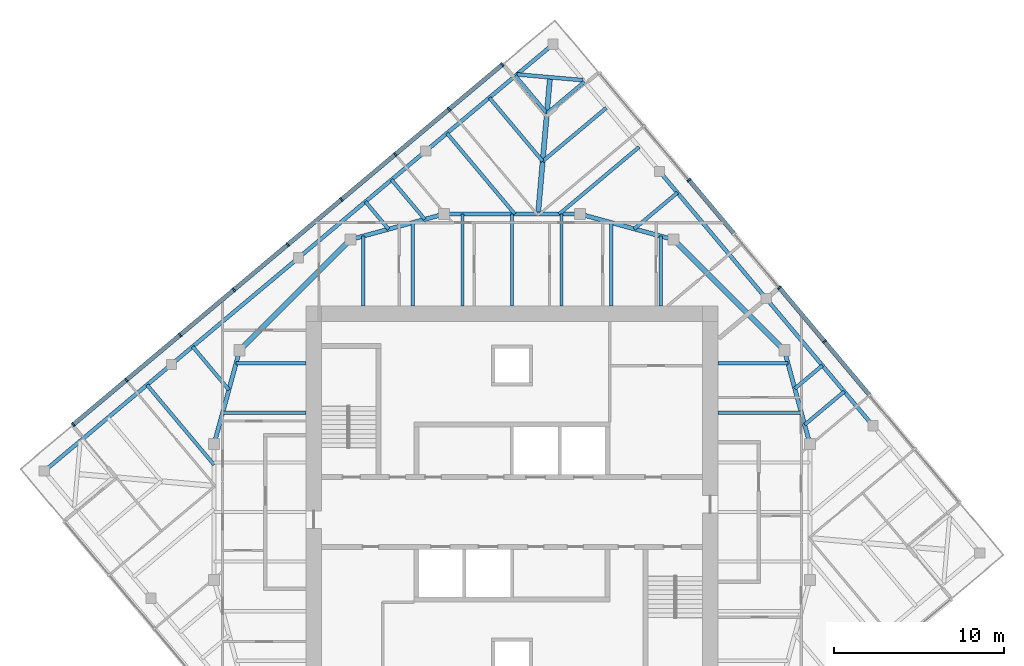
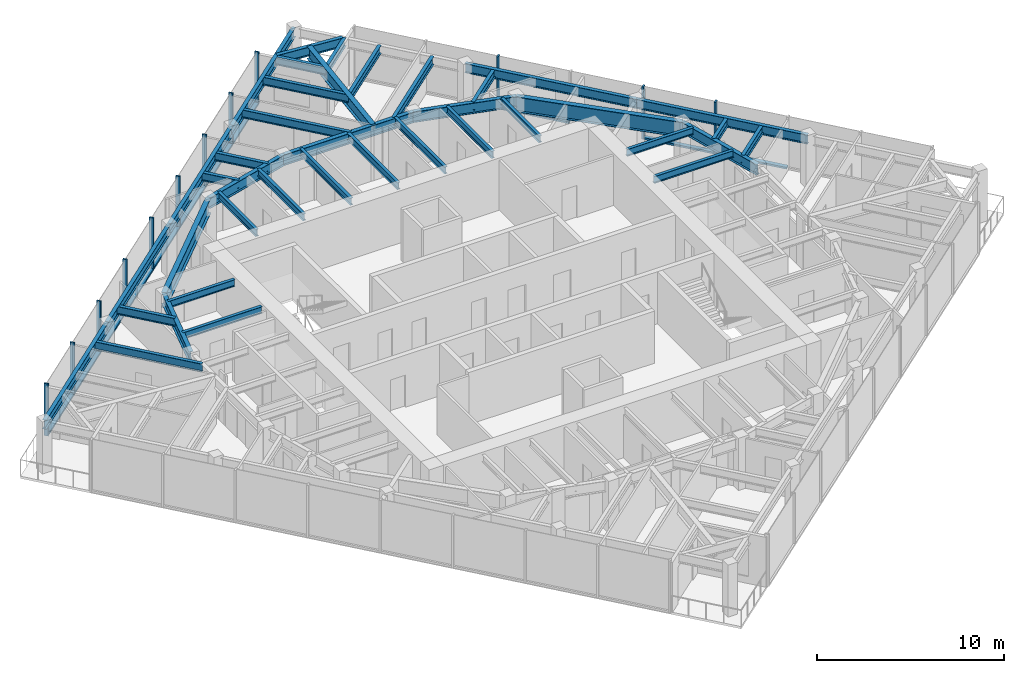
# One storey, part 4 of 11: 39 beams, 23 members, 2 elements without a shape of their own.
"""IFC4 building model written with IfcOpenShell, lengths in metres."""

from ifc_helpers import new_model, si_unit, direction, frame, origin, origin_2d, place, context, subcontext, project, spatial, rectangle, i_section, extrude, material, material_profile, profile_set, type_object, element, aggregate, save


model = new_model("IFC4")

# Units and contexts
model_context = context("Model", 3, precision=1e-05, world=origin(), true_north=direction((0.0, 1.0)))
body_context = subcontext(model_context, "Body", "Model", "MODEL_VIEW")
ifc_project = project(units=[si_unit("LENGTHUNIT", "METRE"), si_unit("AREAUNIT", "SQUARE_METRE"), si_unit("VOLUMEUNIT", "CUBIC_METRE"), si_unit("PLANEANGLEUNIT", "RADIAN"), si_unit("MASSUNIT", "GRAM", prefix="KILO")], contexts=[model_context])

# Site, building, storey
site_placement = place(None, origin())
site = spatial("IfcSite", under=ifc_project, at=site_placement, CompositionType="ELEMENT")
building_placement = place(site_placement, origin())
building = spatial("IfcBuilding", under=site, at=building_placement, Name="Torsade Residences", CompositionType="ELEMENT")
storey_placement = place(building_placement, frame((0.0, 0.0, 276.0)))
storey = spatial("IfcBuildingStorey", under=building, at=storey_placement, Name="L76", CompositionType="ELEMENT", Elevation=276.0)

# Beams
ifc_material_1 = material(Name="Steel grade 300", Category="steel")
ifc_material_profile_1 = material_profile(ifc_material_1, i_section(OverallWidth=0.300048828125, OverallDepth=0.800048828125, WebThickness=0.010009765625, FlangeThickness=0.02001953125, at=origin_2d()), Name="800WB146")
ifc_profile_set_1 = profile_set([ifc_material_profile_1], Name="Steel grade 300")
beam_type_1 = type_object("IfcBeamType", Name="CORNER GIRDER 800WB146", PredefinedType="BEAM", material=ifc_profile_set_1)
beam_1_placement = place(storey_placement, frame((42.234130859375, 55.53515625, 2.85009765625), z_axis=(-0.087172957961, -0.996193191806, 0.0), x_axis=(0.996193191806, -0.087172957961, 0.0)))
element("IfcBeam", 1, at=beam_1_placement, inside=storey, type_object=beam_type_1, Name="Corner girder 09 L77", PredefinedType="BEAM", context=body_context, shape_type="SweptSolid", body=[
    extrude(i_section(OverallWidth=0.300048828125, OverallDepth=0.800048828125, WebThickness=0.010009765625, FlangeThickness=0.02001953125, at=origin_2d()), origin(), (0.0, 0.0, 1.0), 8.06591796875),
])
ifc_material_2 = material(Name="Steel grade 300", Category="steel")
ifc_material_profile_2 = material_profile(ifc_material_2, i_section(OverallWidth=0.22802734375, OverallDepth=0.60205078125, WebThickness=0.010498046875, FlangeThickness=0.014892578125, FilletRadius=0.013916015625, at=origin_2d()), Name="610UB101")
ifc_profile_set_2 = profile_set([ifc_material_profile_2], Name="Steel grade 300")
beam_type_2 = type_object("IfcBeamType", Name="CORNER TRIMMER 610UB101", PredefinedType="BEAM", material=ifc_profile_set_2)
beam_2_placement = place(storey_placement, frame((40.296875, 55.70458984375, 2.948974609375), z_axis=(0.996196646947, -0.087133464362, 0.0), x_axis=(0.087133464362, 0.996196646947, 0.0)))
element("IfcBeam", 2, at=beam_2_placement, inside=storey, type_object=beam_type_2, Name="Corner trimmer 09 L77", PredefinedType="BEAM", context=body_context, shape_type="SweptSolid", body=[
    extrude(i_section(OverallWidth=0.22802734375, OverallDepth=0.60205078125, WebThickness=0.010498046875, FlangeThickness=0.014892578125, FilletRadius=0.013916015625, at=origin_2d()), origin(), (0.0, 0.0, 1.0), 3.88916015625),
])
ifc_material_3 = material(Name="Steel grade 300", Category="steel")
ifc_material_profile_3 = material_profile(ifc_material_3, i_section(OverallWidth=0.22802734375, OverallDepth=0.60205078125, WebThickness=0.010498046875, FlangeThickness=0.014892578125, FilletRadius=0.013916015625, at=origin_2d()), Name="610UB101")
ifc_profile_set_3 = profile_set([ifc_material_profile_3], Name="Steel grade 300")
beam_type_3 = type_object("IfcBeamType", Name="EDGE BEAM 610UB101", PredefinedType="SPANDREL", material=ifc_profile_set_3)
for number, where, z_axis, x_axis, name in (
    (3, (61.205078125, 35.0654296875, 2.948974609375), (-0.642779160279, 0.766051532934, 0.0), (-0.766051532934, -0.642779160279, 0.0), "Edge beam 06 L77"),
    (4, (54.93798828125, 42.534423828125, 2.948974609375), (-0.642806184154, 0.766028856906, 0.0), (-0.766028856906, -0.642806184154, 0.0), "Edge beam 07 L77"),
    (5, (42.403564453125, 57.47216796875, 2.948974609375), (-0.766051532934, -0.642779160279, 0.0), (0.642779160279, -0.766051532934, 0.0), "Edge beam 09 L77"),
    (6, (34.9345703125, 51.205078125, 2.948974609375), (-0.766051532934, -0.642779160279, 0.0), (0.642779160279, -0.766051532934, 0.0), "Edge beam 10 L77"),
    (7, (27.465576171875, 44.93798828125, 2.948974609375), (-0.766028856906, -0.642806184154, 0.0), (0.642806184154, -0.766028856906, 0.0), "Edge beam 11 L77"),
    (8, (19.996826171875, 38.670654296875, 2.948974609375), (-0.766051532934, -0.642779160279, 0.0), (0.642779160279, -0.766051532934, 0.0), "Edge beam 12 L77"),
):
    element("IfcBeam", number, at=place(storey_placement, frame(where, z_axis=z_axis, x_axis=x_axis)), inside=storey, type_object=beam_type_3, Name=name, PredefinedType="SPANDREL", context=body_context, shape_type="SweptSolid", body=[
        extrude(i_section(OverallWidth=0.22802734375, OverallDepth=0.60205078125, WebThickness=0.010498046875, FlangeThickness=0.014892578125, FilletRadius=0.013916015625, at=origin_2d()), origin(), (0.0, 0.0, 1.0), 9.75),
    ])

# Curtain wall, members
ifc_material_4 = material(Name="Aluminium and glass", Category="aluminium")
curtain_wall_type = type_object("IfcCurtainWallType", Name="FRITTED GLASS CURTAIN WALL HIGH ZONE", PredefinedType="NOTDEFINED", material=ifc_material_4)
curtain_wall_1_placement = place(storey_placement, origin())
curtain_wall_1 = element("IfcCurtainWall", 9, at=curtain_wall_1_placement, inside=storey, type_object=curtain_wall_type, Name="Curtain wall L76 face 4", PredefinedType="NOTDEFINED")
ifc_material_5 = material(Name="Aluminium mullion", Category="aluminium")
ifc_material_profile_4 = material_profile(ifc_material_5, rectangle(XDim=0.25, YDim=0.10009765625, at=origin_2d()), Name="HIGH ZONE CURTAIN WALL MULLION 250x100")
ifc_profile_set_4 = profile_set([ifc_material_profile_4], Name="Aluminium mullion")
member_type_1 = type_object("IfcMemberType", Name="HIGH ZONE CURTAIN WALL MULLION 250x100", PredefinedType="MULLION", material=ifc_profile_set_4)
member_1_placement = place(storey_placement, frame((58.35546875, 40.017333984375, 0.0), z_axis=(0.0, 0.0, 1.0), x_axis=(-0.766044437106, -0.642787616853, 0.0)))
member_1 = element("IfcMember", 10, at=member_1_placement, type_object=member_type_1, Name="Mullion 4", PredefinedType="MULLION", context=body_context, shape_type="SweptSolid", body=[
    extrude(rectangle(XDim=0.25, YDim=0.10009765625, at=origin_2d()), origin(), (0.0, 0.0, 1.0), 3.39990234375),
])
member_2_placement = place(storey_placement, frame((55.703857421875, 43.17724609375, 0.0), z_axis=(0.0, 0.0, 1.0), x_axis=(-0.766044437106, -0.642787616853, 0.0)))
member_2 = element("IfcMember", 11, at=member_2_placement, type_object=member_type_1, Name="Mullion 5", PredefinedType="MULLION", context=body_context, shape_type="SweptSolid", body=[
    extrude(rectangle(XDim=0.25, YDim=0.10009765625, at=origin_2d()), origin(), (0.0, 0.0, 1.0), 3.39990234375),
])
member_3_placement = place(storey_placement, frame((50.40087890625, 49.4970703125, 0.0), z_axis=(0.0, 0.0, 1.0), x_axis=(-0.766044437106, -0.642787616853, 0.0)))
member_3 = element("IfcMember", 12, at=member_3_placement, type_object=member_type_1, Name="Mullion 7", PredefinedType="MULLION", context=body_context, shape_type="SweptSolid", body=[
    extrude(rectangle(XDim=0.25, YDim=0.10009765625, at=origin_2d()), origin(), (0.0, 0.0, 1.0), 3.39990234375),
])

curtain_wall_2_placement = place(storey_placement, origin())
curtain_wall_2 = element("IfcCurtainWall", 13, at=curtain_wall_2_placement, inside=storey, type_object=curtain_wall_type, Name="Curtain wall L76 face 7", PredefinedType="NOTDEFINED")
member_4_placement = place(storey_placement, frame((39.42431640625, 56.27783203125, 0.0), z_axis=(0.0, 0.0, 1.0), x_axis=(0.642787616853, -0.766044437106, 0.0)))
member_4 = element("IfcMember", 14, at=member_4_placement, type_object=member_type_1, Name="Mullion 1", PredefinedType="MULLION", context=body_context, shape_type="SweptSolid", body=[
    extrude(rectangle(XDim=0.25, YDim=0.10009765625, at=origin_2d()), origin(), (0.0, 0.0, 1.0), 3.39990234375),
])
member_5_placement = place(storey_placement, frame((36.302734375, 53.658447265625, 0.0), z_axis=(0.0, 0.0, 1.0), x_axis=(0.642787616853, -0.766044437106, 0.0)))
member_5 = element("IfcMember", 15, at=member_5_placement, type_object=member_type_1, Name="Mullion 2", PredefinedType="MULLION", context=body_context, shape_type="SweptSolid", body=[
    extrude(rectangle(XDim=0.25, YDim=0.10009765625, at=origin_2d()), origin(), (0.0, 0.0, 1.0), 3.39990234375),
])
member_6_placement = place(storey_placement, frame((33.142822265625, 51.0068359375, 0.0), z_axis=(0.0, 0.0, 1.0), x_axis=(0.642787616853, -0.766044437106, 0.0)))
member_6 = element("IfcMember", 16, at=member_6_placement, type_object=member_type_1, Name="Mullion 3", PredefinedType="MULLION", context=body_context, shape_type="SweptSolid", body=[
    extrude(rectangle(XDim=0.25, YDim=0.10009765625, at=origin_2d()), origin(), (0.0, 0.0, 1.0), 3.39990234375),
])
member_7_placement = place(storey_placement, frame((29.982666015625, 48.35546875, 0.0), z_axis=(0.0, 0.0, 1.0), x_axis=(0.642787616853, -0.766044437106, 0.0)))
member_7 = element("IfcMember", 17, at=member_7_placement, type_object=member_type_1, Name="Mullion 4", PredefinedType="MULLION", context=body_context, shape_type="SweptSolid", body=[
    extrude(rectangle(XDim=0.25, YDim=0.10009765625, at=origin_2d()), origin(), (0.0, 0.0, 1.0), 3.39990234375),
])
member_8_placement = place(storey_placement, frame((26.82275390625, 45.703857421875, 0.0), z_axis=(0.0, 0.0, 1.0), x_axis=(0.642787616853, -0.766044437106, 0.0)))
member_8 = element("IfcMember", 18, at=member_8_placement, type_object=member_type_1, Name="Mullion 5", PredefinedType="MULLION", context=body_context, shape_type="SweptSolid", body=[
    extrude(rectangle(XDim=0.25, YDim=0.10009765625, at=origin_2d()), origin(), (0.0, 0.0, 1.0), 3.39990234375),
])
member_9_placement = place(storey_placement, frame((23.662841796875, 43.052490234375, 0.0), z_axis=(0.0, 0.0, 1.0), x_axis=(0.642787616853, -0.766044437106, 0.0)))
member_9 = element("IfcMember", 19, at=member_9_placement, type_object=member_type_1, Name="Mullion 6", PredefinedType="MULLION", context=body_context, shape_type="SweptSolid", body=[
    extrude(rectangle(XDim=0.25, YDim=0.10009765625, at=origin_2d()), origin(), (0.0, 0.0, 1.0), 3.39990234375),
])
member_10_placement = place(storey_placement, frame((20.5029296875, 40.40087890625, 0.0), z_axis=(0.0, 0.0, 1.0), x_axis=(0.642787616853, -0.766044437106, 0.0)))
member_10 = element("IfcMember", 20, at=member_10_placement, type_object=member_type_1, Name="Mullion 7", PredefinedType="MULLION", context=body_context, shape_type="SweptSolid", body=[
    extrude(rectangle(XDim=0.25, YDim=0.10009765625, at=origin_2d()), origin(), (0.0, 0.0, 1.0), 3.39990234375),
])
member_11_placement = place(storey_placement, frame((17.343017578125, 37.74951171875, 0.0), z_axis=(0.0, 0.0, 1.0), x_axis=(0.642787616853, -0.766044437106, 0.0)))
member_11 = element("IfcMember", 21, at=member_11_placement, type_object=member_type_1, Name="Mullion 8", PredefinedType="MULLION", context=body_context, shape_type="SweptSolid", body=[
    extrude(rectangle(XDim=0.25, YDim=0.10009765625, at=origin_2d()), origin(), (0.0, 0.0, 1.0), 3.39990234375),
])
member_12_placement = place(storey_placement, frame((14.221435546875, 35.130126953125, 0.0), z_axis=(0.0, 0.0, 1.0), x_axis=(0.642787616853, -0.766044437106, 0.0)))
member_12 = element("IfcMember", 22, at=member_12_placement, type_object=member_type_1, Name="Mullion 9", PredefinedType="MULLION", context=body_context, shape_type="SweptSolid", body=[
    extrude(rectangle(XDim=0.25, YDim=0.10009765625, at=origin_2d()), origin(), (0.0, 0.0, 1.0), 3.39990234375),
])

# Member
ifc_material_6 = material(Name="Aluminium transom", Category="aluminium")
ifc_material_profile_5 = material_profile(ifc_material_6, rectangle(XDim=0.25, YDim=0.1201171875, at=origin_2d()), Name="HIGH ZONE CURTAIN WALL TRANSOM 250x120")
ifc_profile_set_5 = profile_set([ifc_material_profile_5], Name="Aluminium transom")
member_type_2 = type_object("IfcMemberType", Name="HIGH ZONE CURTAIN WALL TRANSOM 250x120", PredefinedType="USERDEFINED", material=ifc_profile_set_5)
member_13_placement = place(storey_placement, frame((60.974853515625, 36.8955078125, 0.06005859375), z_axis=(-0.642793719372, 0.766039316443, 0.0), x_axis=(-0.766039316443, -0.642793719372, 0.0)))
member_13 = element("IfcMember", 23, at=member_13_placement, type_object=member_type_2, Name="Transom 3.1", ObjectType="TRANSOM", PredefinedType="USERDEFINED", context=body_context, shape_type="SweptSolid", body=[
    extrude(rectangle(XDim=0.25, YDim=0.1201171875, at=origin_2d()), origin(), (0.0, 0.0, 1.0), 4.025146484375),
])

member_14_placement = place(storey_placement, frame((58.3232421875, 40.055419921875, 0.06005859375), z_axis=(-0.6427581255, 0.766069182322, 0.0), x_axis=(-0.766069182322, -0.6427581255, 0.0)))
member_14 = element("IfcMember", 24, at=member_14_placement, type_object=member_type_2, Name="Transom 4.1", ObjectType="TRANSOM", PredefinedType="USERDEFINED", context=body_context, shape_type="SweptSolid", body=[
    extrude(rectangle(XDim=0.25, YDim=0.1201171875, at=origin_2d()), origin(), (0.0, 0.0, 1.0), 4.025146484375),
])

member_15_placement = place(storey_placement, frame((53.020263671875, 46.37548828125, 0.06005859375), z_axis=(-0.642787992616, 0.766044121803, 0.0), x_axis=(-0.766044121803, -0.642787992616, 0.0)))
member_15 = element("IfcMember", 25, at=member_15_placement, type_object=member_type_2, Name="Transom 6.1", ObjectType="TRANSOM", PredefinedType="USERDEFINED", context=body_context, shape_type="SweptSolid", body=[
    extrude(rectangle(XDim=0.25, YDim=0.1201171875, at=origin_2d()), origin(), (0.0, 0.0, 1.0), 4.02490234375),
])

aggregate(curtain_wall_1, [member_1, member_2, member_3, member_13, member_14, member_15])

member_16_placement = place(storey_placement, frame((39.385986328125, 56.24560546875, 0.06005859375), z_axis=(-0.766021778456, -0.642814619413, 0.0), x_axis=(0.642814619413, -0.766021778456, 0.0)))
member_16 = element("IfcMember", 26, at=member_16_placement, type_object=member_type_2, Name="Transom 1.1", ObjectType="TRANSOM", PredefinedType="USERDEFINED", context=body_context, shape_type="SweptSolid", body=[
    extrude(rectangle(XDim=0.25, YDim=0.1201171875, at=origin_2d()), origin(), (0.0, 0.0, 1.0), 3.97509765625),
])

member_17_placement = place(storey_placement, frame((36.264404296875, 53.626220703125, 0.06005859375), z_axis=(-0.766069182322, -0.6427581255, 0.0), x_axis=(0.6427581255, -0.766069182322, 0.0)))
member_17 = element("IfcMember", 27, at=member_17_placement, type_object=member_type_2, Name="Transom 2.1", ObjectType="TRANSOM", PredefinedType="USERDEFINED", context=body_context, shape_type="SweptSolid", body=[
    extrude(rectangle(XDim=0.25, YDim=0.1201171875, at=origin_2d()), origin(), (0.0, 0.0, 1.0), 4.025146484375),
])

member_18_placement = place(storey_placement, frame((33.1044921875, 50.974853515625, 0.06005859375), z_axis=(-0.766039316443, -0.642793719372, 0.0), x_axis=(0.642793719372, -0.766039316443, 0.0)))
member_18 = element("IfcMember", 28, at=member_18_placement, type_object=member_type_2, Name="Transom 3.1", ObjectType="TRANSOM", PredefinedType="USERDEFINED", context=body_context, shape_type="SweptSolid", body=[
    extrude(rectangle(XDim=0.25, YDim=0.1201171875, at=origin_2d()), origin(), (0.0, 0.0, 1.0), 4.025146484375),
])

member_19_placement = place(storey_placement, frame((29.944580078125, 48.3232421875, 0.06005859375), z_axis=(-0.766069182322, -0.6427581255, 0.0), x_axis=(0.6427581255, -0.766069182322, 0.0)))
member_19 = element("IfcMember", 29, at=member_19_placement, type_object=member_type_2, Name="Transom 4.1", ObjectType="TRANSOM", PredefinedType="USERDEFINED", context=body_context, shape_type="SweptSolid", body=[
    extrude(rectangle(XDim=0.25, YDim=0.1201171875, at=origin_2d()), origin(), (0.0, 0.0, 1.0), 4.025146484375),
])

member_20_placement = place(storey_placement, frame((26.78466796875, 45.671875, 0.06005859375), z_axis=(-0.766039316443, -0.642793719372, 0.0), x_axis=(0.642793719372, -0.766039316443, 0.0)))
member_20 = element("IfcMember", 30, at=member_20_placement, type_object=member_type_2, Name="Transom 5.1", ObjectType="TRANSOM", PredefinedType="USERDEFINED", context=body_context, shape_type="SweptSolid", body=[
    extrude(rectangle(XDim=0.25, YDim=0.1201171875, at=origin_2d()), origin(), (0.0, 0.0, 1.0), 4.025146484375),
])

member_21_placement = place(storey_placement, frame((23.62451171875, 43.020263671875, 0.06005859375), z_axis=(-0.766044121803, -0.642787992616, 0.0), x_axis=(0.642787992616, -0.766044121803, 0.0)))
member_21 = element("IfcMember", 31, at=member_21_placement, type_object=member_type_2, Name="Transom 6.1", ObjectType="TRANSOM", PredefinedType="USERDEFINED", context=body_context, shape_type="SweptSolid", body=[
    extrude(rectangle(XDim=0.25, YDim=0.1201171875, at=origin_2d()), origin(), (0.0, 0.0, 1.0), 4.02490234375),
])

member_22_placement = place(storey_placement, frame((20.464599609375, 40.36865234375, 0.06005859375), z_axis=(-0.766044121803, -0.642787992616, 0.0), x_axis=(0.642787992616, -0.766044121803, 0.0)))
member_22 = element("IfcMember", 32, at=member_22_placement, type_object=member_type_2, Name="Transom 7.1", ObjectType="TRANSOM", PredefinedType="USERDEFINED", context=body_context, shape_type="SweptSolid", body=[
    extrude(rectangle(XDim=0.25, YDim=0.1201171875, at=origin_2d()), origin(), (0.0, 0.0, 1.0), 4.02490234375),
])

member_23_placement = place(storey_placement, frame((17.3046875, 37.71728515625, 0.06005859375), z_axis=(-0.766021778456, -0.642814619413, 0.0), x_axis=(0.642814619413, -0.766021778456, 0.0)))
member_23 = element("IfcMember", 33, at=member_23_placement, type_object=member_type_2, Name="Transom 8.1", ObjectType="TRANSOM", PredefinedType="USERDEFINED", context=body_context, shape_type="SweptSolid", body=[
    extrude(rectangle(XDim=0.25, YDim=0.1201171875, at=origin_2d()), origin(), (0.0, 0.0, 1.0), 3.97509765625),
])

aggregate(curtain_wall_2, [member_4, member_5, member_6, member_7, member_8, member_9, member_10, member_11, member_12, member_16, member_17, member_18, member_19, member_20, member_21, member_22, member_23])

# Beams
ifc_material_7 = material(Name="Steel grade 300", Category="steel")
ifc_material_profile_6 = material_profile(ifc_material_7, i_section(OverallWidth=0.18994140625, OverallDepth=0.4541015625, WebThickness=0.008544921875, FlangeThickness=0.0126953125, FilletRadius=0.011474609375, at=origin_2d()), Name="460UB67.1")
ifc_profile_set_6 = profile_set([ifc_material_profile_6], Name="Steel grade 300")
beam_type_4 = type_object("IfcBeamType", Name="INNER FLOOR BEAM 460UB67.1", PredefinedType="JOIST", material=ifc_profile_set_6)
beam_3_placement = place(storey_placement, frame((31.262451171875, 42.10009765625, 3.02294921875), z_axis=(0.0, 1.0, 0.0), x_axis=(-1.0, 0.0, 0.0)))
element("IfcBeam", 34, at=beam_3_placement, inside=storey, type_object=beam_type_4, Name="Inner floor beam IN01 L77", PredefinedType="JOIST", context=body_context, shape_type="SweptSolid", body=[
    extrude(i_section(OverallWidth=0.18994140625, OverallDepth=0.4541015625, WebThickness=0.008544921875, FlangeThickness=0.0126953125, FilletRadius=0.011474609375, at=origin_2d()), origin(), (0.0, 0.0, 1.0), 4.10791015625),
])
beam_4_placement = place(storey_placement, frame((34.175048828125, 42.10009765625, 3.02294921875), z_axis=(0.0, 1.0, 0.0), x_axis=(-1.0, 0.0, 0.0)))
element("IfcBeam", 35, at=beam_4_placement, inside=storey, type_object=beam_type_4, Name="Inner floor beam IN02 L77", PredefinedType="JOIST", context=body_context, shape_type="SweptSolid", body=[
    extrude(i_section(OverallWidth=0.18994140625, OverallDepth=0.4541015625, WebThickness=0.008544921875, FlangeThickness=0.0126953125, FilletRadius=0.011474609375, at=origin_2d()), origin(), (0.0, 0.0, 1.0), 4.902099609375),
])
for number, where, z_axis, x_axis, name in (
    (36, (37.08740234375, 42.10009765625, 3.02294921875), (0.0, 1.0, 0.0), (-1.0, 0.0, 0.0), "Inner floor beam IN03 L77"),
    (37, (40.0, 42.10009765625, 3.02294921875), (0.0, 1.0, 0.0), (-1.0, 0.0, 0.0), "Inner floor beam IN04 L77"),
    (38, (42.91259765625, 42.10009765625, 3.02294921875), (0.0, 1.0, 0.0), (-1.0, 0.0, 0.0), "Inner floor beam IN05 L77"),
):
    element("IfcBeam", number, at=place(storey_placement, frame(where, z_axis=z_axis, x_axis=x_axis)), inside=storey, type_object=beam_type_4, Name=name, PredefinedType="JOIST", context=body_context, shape_type="SweptSolid", body=[
        extrude(i_section(OverallWidth=0.18994140625, OverallDepth=0.4541015625, WebThickness=0.008544921875, FlangeThickness=0.0126953125, FilletRadius=0.011474609375, at=origin_2d()), origin(), (0.0, 0.0, 1.0), 5.39990234375),
    ])
beam_5_placement = place(storey_placement, frame((45.824951171875, 42.10009765625, 3.02294921875), z_axis=(0.0, 1.0, 0.0), x_axis=(-1.0, 0.0, 0.0)))
element("IfcBeam", 39, at=beam_5_placement, inside=storey, type_object=beam_type_4, Name="Inner floor beam IN06 L77", PredefinedType="JOIST", context=body_context, shape_type="SweptSolid", body=[
    extrude(i_section(OverallWidth=0.18994140625, OverallDepth=0.4541015625, WebThickness=0.008544921875, FlangeThickness=0.0126953125, FilletRadius=0.011474609375, at=origin_2d()), origin(), (0.0, 0.0, 1.0), 4.902099609375),
])
beam_6_placement = place(storey_placement, frame((48.737548828125, 42.10009765625, 3.02294921875), z_axis=(0.0, 1.0, 0.0), x_axis=(-1.0, 0.0, 0.0)))
element("IfcBeam", 40, at=beam_6_placement, inside=storey, type_object=beam_type_4, Name="Inner floor beam IN07 L77", PredefinedType="JOIST", context=body_context, shape_type="SweptSolid", body=[
    extrude(i_section(OverallWidth=0.18994140625, OverallDepth=0.4541015625, WebThickness=0.008544921875, FlangeThickness=0.0126953125, FilletRadius=0.011474609375, at=origin_2d()), origin(), (0.0, 0.0, 1.0), 4.10791015625),
])
beam_7_placement = place(storey_placement, frame((52.10009765625, 35.824951171875, 3.02294921875), z_axis=(1.0, 0.0, 0.0), x_axis=(0.0, 1.0, 0.0)))
element("IfcBeam", 41, at=beam_7_placement, inside=storey, type_object=beam_type_4, Name="Inner floor beam IE06 L77", PredefinedType="JOIST", context=body_context, shape_type="SweptSolid", body=[
    extrude(i_section(OverallWidth=0.18994140625, OverallDepth=0.4541015625, WebThickness=0.008544921875, FlangeThickness=0.0126953125, FilletRadius=0.011474609375, at=origin_2d()), origin(), (0.0, 0.0, 1.0), 4.902099609375),
])
for number, where, z_axis, x_axis, name in (
    (42, (52.10009765625, 38.737548828125, 3.02294921875), (1.0, 0.0, 0.0), (0.0, 1.0, 0.0), "Inner floor beam IE07 L77"),
    (43, (27.89990234375, 38.737548828125, 3.02294921875), (-1.0, 0.0, 0.0), (0.0, -1.0, 0.0), "Inner floor beam IW01 L77"),
):
    element("IfcBeam", number, at=place(storey_placement, frame(where, z_axis=z_axis, x_axis=x_axis)), inside=storey, type_object=beam_type_4, Name=name, PredefinedType="JOIST", context=body_context, shape_type="SweptSolid", body=[
        extrude(i_section(OverallWidth=0.18994140625, OverallDepth=0.4541015625, WebThickness=0.008544921875, FlangeThickness=0.0126953125, FilletRadius=0.011474609375, at=origin_2d()), origin(), (0.0, 0.0, 1.0), 4.10791015625),
    ])
beam_8_placement = place(storey_placement, frame((27.89990234375, 35.824951171875, 3.02294921875), z_axis=(-1.0, 0.0, 0.0), x_axis=(0.0, -1.0, 0.0)))
element("IfcBeam", 44, at=beam_8_placement, inside=storey, type_object=beam_type_4, Name="Inner floor beam IW02 L77", PredefinedType="JOIST", context=body_context, shape_type="SweptSolid", body=[
    extrude(i_section(OverallWidth=0.18994140625, OverallDepth=0.4541015625, WebThickness=0.008544921875, FlangeThickness=0.0126953125, FilletRadius=0.011474609375, at=origin_2d()), origin(), (0.0, 0.0, 1.0), 4.902099609375),
])
ifc_material_8 = material(Name="Steel grade 300", Category="steel")
ifc_material_profile_7 = material_profile(ifc_material_8, i_section(OverallWidth=0.300048828125, OverallDepth=1.0, WebThickness=0.01611328125, FlangeThickness=0.028076171875, at=origin_2d()), Name="1000WB215")
ifc_profile_set_7 = profile_set([ifc_material_profile_7], Name="Steel grade 300")
beam_type_5 = type_object("IfcBeamType", Name="RING CORNER GIRDER 1000WB215", PredefinedType="BEAM", material=ifc_profile_set_7)
for number, where, z_axis, x_axis, name in (
    (45, (56.0, 39.5, 2.75), (-0.707106781187, 0.707106781187, 0.0), (-0.707106781187, -0.707106781187, 0.0), "Ring girder IR03 L77"),
    (46, (30.5, 46.0, 2.75), (-0.707106781187, -0.707106781187, 0.0), (0.707106781187, -0.707106781187, 0.0), "Ring girder IR07 L77"),
):
    element("IfcBeam", number, at=place(storey_placement, frame(where, z_axis=z_axis, x_axis=x_axis)), inside=storey, type_object=beam_type_5, Name=name, PredefinedType="BEAM", context=body_context, shape_type="SweptSolid", body=[
        extrude(i_section(OverallWidth=0.300048828125, OverallDepth=1.0, WebThickness=0.01611328125, FlangeThickness=0.028076171875, at=origin_2d()), origin(), (0.0, 0.0, 1.0), 9.1923828125),
    ])
ifc_material_9 = material(Name="Steel grade 300", Category="steel")
ifc_material_profile_8 = material_profile(ifc_material_9, i_section(OverallWidth=0.25, OverallDepth=0.699951171875, WebThickness=0.010009765625, FlangeThickness=0.02001953125, at=origin_2d()), Name="700WB130")
ifc_profile_set_8 = profile_set([ifc_material_profile_8], Name="Steel grade 300")
beam_type_6 = type_object("IfcBeamType", Name="RING GIRDER 700WB130", PredefinedType="BEAM", material=ifc_profile_set_8)
for number, where, z_axis, x_axis, name in (
    (47, (57.5, 34.0, 2.89990234375), (-0.263117405792, 0.964763821238, 0.0), (-0.964763821238, -0.263117405792, 0.0), "Ring girder IR02 L77"),
    (48, (49.5, 46.0, 2.89990234375), (-0.964763821238, 0.263117405792, 0.0), (-0.263117405792, -0.964763821238, 0.0), "Ring girder IR04 L77"),
):
    element("IfcBeam", number, at=place(storey_placement, frame(where, z_axis=z_axis, x_axis=x_axis)), inside=storey, type_object=beam_type_6, Name=name, PredefinedType="BEAM", context=body_context, shape_type="SweptSolid", body=[
        extrude(i_section(OverallWidth=0.25, OverallDepth=0.699951171875, WebThickness=0.010009765625, FlangeThickness=0.02001953125, at=origin_2d()), origin(), (0.0, 0.0, 1.0), 5.700927734375),
    ])
beam_9_placement = place(storey_placement, frame((44.0, 47.5, 2.89990234375), z_axis=(-1.0, 0.0, 0.0), x_axis=(0.0, -1.0, 0.0)))
element("IfcBeam", 49, at=beam_9_placement, inside=storey, type_object=beam_type_6, Name="Ring girder IR05 L77", PredefinedType="BEAM", context=body_context, shape_type="SweptSolid", body=[
    extrude(i_section(OverallWidth=0.25, OverallDepth=0.699951171875, WebThickness=0.010009765625, FlangeThickness=0.02001953125, at=origin_2d()), origin(), (0.0, 0.0, 1.0), 8.0),
])
for number, where, z_axis, x_axis, name in (
    (50, (36.0, 47.5, 2.89990234375), (-0.964763821238, -0.263117405792, 0.0), (0.263117405792, -0.964763821238, 0.0), "Ring girder IR06 L77"),
    (51, (24.0, 39.5, 2.89990234375), (-0.263117405792, -0.964763821238, 0.0), (0.964763821238, -0.263117405792, 0.0), "Ring girder IR08 L77"),
):
    element("IfcBeam", number, at=place(storey_placement, frame(where, z_axis=z_axis, x_axis=x_axis)), inside=storey, type_object=beam_type_6, Name=name, PredefinedType="BEAM", context=body_context, shape_type="SweptSolid", body=[
        extrude(i_section(OverallWidth=0.25, OverallDepth=0.699951171875, WebThickness=0.010009765625, FlangeThickness=0.02001953125, at=origin_2d()), origin(), (0.0, 0.0, 1.0), 5.700927734375),
    ])
ifc_material_10 = material(Name="Steel grade 300", Category="steel")
ifc_material_profile_9 = material_profile(ifc_material_10, i_section(OverallWidth=0.208984375, OverallDepth=0.532958984375, WebThickness=0.01025390625, FlangeThickness=0.015625, FilletRadius=0.013916015625, at=origin_2d()), Name="530UB92.4")
ifc_profile_set_9 = profile_set([ifc_material_profile_9], Name="Steel grade 300")
beam_type_7 = type_object("IfcBeamType", Name="SECONDARY BEAM 530UB92.4", PredefinedType="JOIST", material=ifc_profile_set_9)
beam_10_placement = place(storey_placement, frame((59.517822265625, 37.076171875, 2.9833984375), z_axis=(-0.766080361029, -0.64274480196, 0.0), x_axis=(0.64274480196, -0.766080361029, 0.0)))
element("IfcBeam", 52, at=beam_10_placement, inside=storey, type_object=beam_type_7, Name="Floor beam FE04 L77", PredefinedType="JOIST", context=body_context, shape_type="SweptSolid", body=[
    extrude(i_section(OverallWidth=0.208984375, OverallDepth=0.532958984375, WebThickness=0.01025390625, FlangeThickness=0.015625, FilletRadius=0.013916015625, at=origin_2d()), origin(), (0.0, 0.0, 1.0), 3.03466796875),
])
beam_11_placement = place(storey_placement, frame((58.232177734375, 38.6083984375, 2.9833984375), z_axis=(-0.766057560226, -0.642771977004, 0.0), x_axis=(0.642771977004, -0.766057560226, 0.0)))
element("IfcBeam", 53, at=beam_11_placement, inside=storey, type_object=beam_type_7, Name="Floor beam FE05 L77", PredefinedType="JOIST", context=body_context, shape_type="SweptSolid", body=[
    extrude(i_section(OverallWidth=0.208984375, OverallDepth=0.532958984375, WebThickness=0.01025390625, FlangeThickness=0.015625, FilletRadius=0.013916015625, at=origin_2d()), origin(), (0.0, 0.0, 1.0), 2.113037109375),
])
beam_12_placement = place(storey_placement, frame((49.71533203125, 48.758544921875, 2.9833984375), z_axis=(-0.766044990879, -0.642786956891, 0.0), x_axis=(0.642786956891, -0.766044990879, 0.0)))
element("IfcBeam", 54, at=beam_12_placement, inside=storey, type_object=beam_type_7, Name="Floor beam FE09 L77", PredefinedType="JOIST", context=body_context, shape_type="SweptSolid", body=[
    extrude(i_section(OverallWidth=0.208984375, OverallDepth=0.532958984375, WebThickness=0.01025390625, FlangeThickness=0.015625, FilletRadius=0.013916015625, at=origin_2d()), origin(), (0.0, 0.0, 1.0), 3.307861328125),
])
beam_13_placement = place(storey_placement, frame((47.465576171875, 51.439697265625, 2.9833984375), z_axis=(-0.766039049329, -0.642794037701, 0.0), x_axis=(0.642794037701, -0.766039049329, 0.0)))
element("IfcBeam", 55, at=beam_13_placement, inside=storey, type_object=beam_type_7, Name="Floor beam FE10 L77", PredefinedType="JOIST", context=body_context, shape_type="SweptSolid", body=[
    extrude(i_section(OverallWidth=0.208984375, OverallDepth=0.532958984375, WebThickness=0.01025390625, FlangeThickness=0.015625, FilletRadius=0.013916015625, at=origin_2d()), origin(), (0.0, 0.0, 1.0), 6.12890625),
])
beam_14_placement = place(storey_placement, frame((45.537109375, 53.73779296875, 2.9833984375), z_axis=(-0.766041186946, -0.642791490223, 0.0), x_axis=(0.642791490223, -0.766041186946, 0.0)))
element("IfcBeam", 56, at=beam_14_placement, inside=storey, type_object=beam_type_7, Name="Floor beam FE11 L77", PredefinedType="JOIST", context=body_context, shape_type="SweptSolid", body=[
    extrude(i_section(OverallWidth=0.208984375, OverallDepth=0.532958984375, WebThickness=0.01025390625, FlangeThickness=0.015625, FilletRadius=0.013916015625, at=origin_2d()), origin(), (0.0, 0.0, 1.0), 4.875),
])
for number, where, z_axis, x_axis, name in (
    (57, (44.25146484375, 55.269775390625, 2.9833984375), (-0.766066093402, -0.642761807001, 0.0), (0.642761807001, -0.766066093402, 0.0), "Floor beam FE12 L77"),
    (58, (40.201171875, 55.624267578125, 2.9833984375), (0.642761807001, -0.766066093402, 0.0), (0.766066093402, 0.642761807001, 0.0), "Floor beam FN01 L77"),
):
    element("IfcBeam", number, at=place(storey_placement, frame(where, z_axis=z_axis, x_axis=x_axis)), inside=storey, type_object=beam_type_7, Name=name, PredefinedType="JOIST", context=body_context, shape_type="SweptSolid", body=[
        extrude(i_section(OverallWidth=0.208984375, OverallDepth=0.532958984375, WebThickness=0.01025390625, FlangeThickness=0.015625, FilletRadius=0.013916015625, at=origin_2d()), origin(), (0.0, 0.0, 1.0), 2.875),
    ])
beam_15_placement = place(storey_placement, frame((38.6689453125, 54.338623046875, 2.9833984375), z_axis=(0.642820877376, -0.766016526982, 0.0), x_axis=(0.766016526982, 0.642820877376, 0.0)))
element("IfcBeam", 59, at=beam_15_placement, inside=storey, type_object=beam_type_7, Name="Floor beam FN02 L77", PredefinedType="JOIST", context=body_context, shape_type="SweptSolid", body=[
    extrude(i_section(OverallWidth=0.208984375, OverallDepth=0.532958984375, WebThickness=0.01025390625, FlangeThickness=0.015625, FilletRadius=0.013916015625, at=origin_2d()), origin(), (0.0, 0.0, 1.0), 4.875),
])
beam_16_placement = place(storey_placement, frame((36.179443359375, 52.24951171875, 2.9833984375), z_axis=(0.642791209238, -0.766041422722, 0.0), x_axis=(0.766041422722, 0.642791209238, 0.0)))
element("IfcBeam", 60, at=beam_16_placement, inside=storey, type_object=beam_type_7, Name="Floor beam FN03 L77", PredefinedType="JOIST", context=body_context, shape_type="SweptSolid", body=[
    extrude(i_section(OverallWidth=0.208984375, OverallDepth=0.532958984375, WebThickness=0.01025390625, FlangeThickness=0.015625, FilletRadius=0.013916015625, at=origin_2d()), origin(), (0.0, 0.0, 1.0), 6.199951171875),
])
beam_17_placement = place(storey_placement, frame((32.923828125, 49.517822265625, 2.9833984375), z_axis=(0.64274480196, -0.766080361029, 0.0), x_axis=(0.766080361029, 0.64274480196, 0.0)))
element("IfcBeam", 61, at=beam_17_placement, inside=storey, type_object=beam_type_7, Name="Floor beam FN04 L77", PredefinedType="JOIST", context=body_context, shape_type="SweptSolid", body=[
    extrude(i_section(OverallWidth=0.208984375, OverallDepth=0.532958984375, WebThickness=0.01025390625, FlangeThickness=0.015625, FilletRadius=0.013916015625, at=origin_2d()), origin(), (0.0, 0.0, 1.0), 3.03466796875),
])
beam_18_placement = place(storey_placement, frame((31.3916015625, 48.232177734375, 2.9833984375), z_axis=(0.642771977004, -0.766057560226, 0.0), x_axis=(0.766057560226, 0.642771977004, 0.0)))
element("IfcBeam", 62, at=beam_18_placement, inside=storey, type_object=beam_type_7, Name="Floor beam FN05 L77", PredefinedType="JOIST", context=body_context, shape_type="SweptSolid", body=[
    extrude(i_section(OverallWidth=0.208984375, OverallDepth=0.532958984375, WebThickness=0.01025390625, FlangeThickness=0.015625, FilletRadius=0.013916015625, at=origin_2d()), origin(), (0.0, 0.0, 1.0), 2.113037109375),
])
beam_19_placement = place(storey_placement, frame((21.241455078125, 39.71533203125, 2.9833984375), z_axis=(0.642786956891, -0.766044990879, 0.0), x_axis=(0.766044990879, 0.642786956891, 0.0)))
element("IfcBeam", 63, at=beam_19_placement, inside=storey, type_object=beam_type_7, Name="Floor beam FN09 L77", PredefinedType="JOIST", context=body_context, shape_type="SweptSolid", body=[
    extrude(i_section(OverallWidth=0.208984375, OverallDepth=0.532958984375, WebThickness=0.01025390625, FlangeThickness=0.015625, FilletRadius=0.013916015625, at=origin_2d()), origin(), (0.0, 0.0, 1.0), 3.307861328125),
])
beam_20_placement = place(storey_placement, frame((18.560302734375, 37.465576171875, 2.9833984375), z_axis=(0.642794037701, -0.766039049329, 0.0), x_axis=(0.766039049329, 0.642794037701, 0.0)))
element("IfcBeam", 64, at=beam_20_placement, inside=storey, type_object=beam_type_7, Name="Floor beam FN10 L77", PredefinedType="JOIST", context=body_context, shape_type="SweptSolid", body=[
    extrude(i_section(OverallWidth=0.208984375, OverallDepth=0.532958984375, WebThickness=0.01025390625, FlangeThickness=0.015625, FilletRadius=0.013916015625, at=origin_2d()), origin(), (0.0, 0.0, 1.0), 6.12890625),
])

save(model, "model.ifc")
